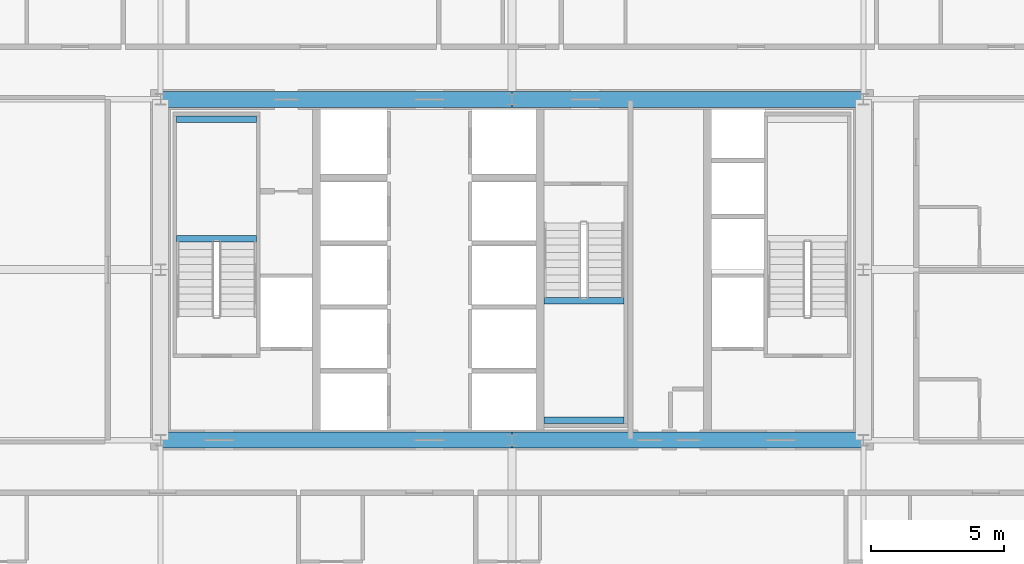
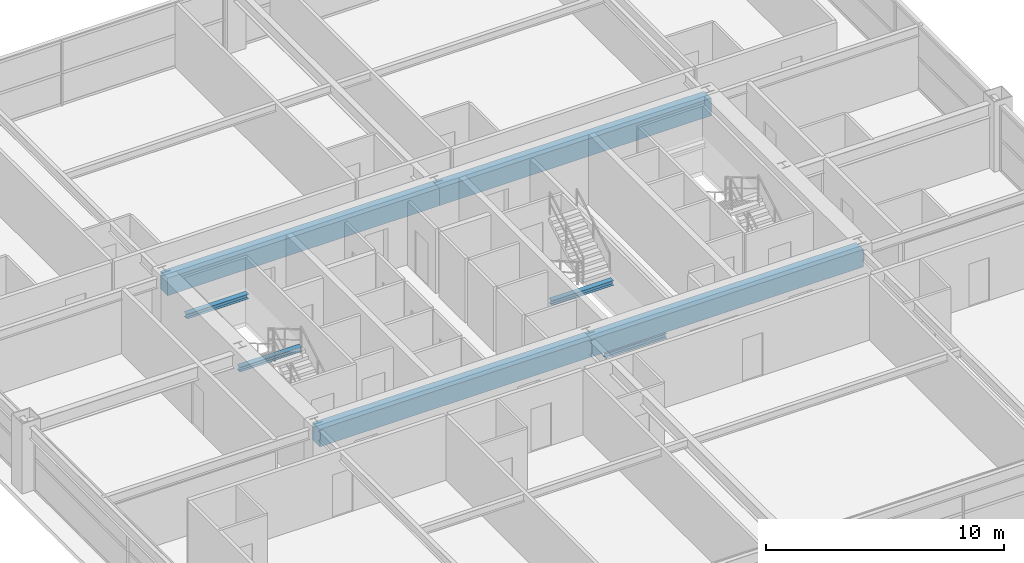
# One storey, part 12 of 38: 8 beams.
"""IFC4 building model written with IfcOpenShell, lengths in metres."""

from ifc_helpers import new_model, si_unit, direction, frame, origin, origin_2d, place, context, subcontext, project, spatial, rectangle, i_section, extrude, source, transform, mapped, material, material_profile, profile_set, type_object, element, save


model = new_model("IFC4")

# Units and contexts
model_context = context("Model", 3, precision=1e-05, world=origin(), true_north=direction((0.0, 1.0)))
body_context = subcontext(model_context, "Body", "Model", "MODEL_VIEW")
ifc_project = project(units=[si_unit("LENGTHUNIT", "METRE"), si_unit("AREAUNIT", "SQUARE_METRE"), si_unit("VOLUMEUNIT", "CUBIC_METRE"), si_unit("PLANEANGLEUNIT", "RADIAN"), si_unit("MASSUNIT", "GRAM", prefix="KILO"), si_unit("THERMODYNAMICTEMPERATUREUNIT", "KELVIN"), si_unit("POWERUNIT", "WATT")], contexts=[model_context])

# Site, building, storey
site_placement = place(None, origin())
site = spatial("IfcSite", under=ifc_project, at=site_placement, CompositionType="ELEMENT")
building_placement = place(site_placement, origin())
building = spatial("IfcBuilding", under=site, at=building_placement, Name="Yuzanri Waterfront Tower", CompositionType="ELEMENT")
storey_placement = place(building_placement, frame((0.0, 0.0, 126.199951171875)))
storey = spatial("IfcBuildingStorey", under=building, at=storey_placement, Name="L33", CompositionType="ELEMENT", Elevation=126.199951171875)

# Beams
ifc_material_1 = material(Name="Concrete C60", Category="concrete")
ifc_material_profile_1 = material_profile(ifc_material_1, rectangle(XDim=0.60009765625, YDim=0.89990234375, at=origin_2d()), Name="RC 600x900")
ifc_profile_set_1 = profile_set([ifc_material_profile_1], Name="Concrete C60")
beam_type_1 = type_object("IfcBeamType", Name="Core Coupling Lintel Concrete C60 600x900", PredefinedType="LINTEL", material=ifc_profile_set_1)
shared_shape_1 = source(origin(), body_context, "Body", "SweptSolid", [
    extrude(rectangle(XDim=0.60009765625, YDim=0.89990234375, at=origin_2d()), origin(), (0.0, 0.0, 1.0), 13.199951171875),
])
for number, where, z_axis, x_axis, name in (
    (1, (23.800048828125, 19.39990234375, 2.8701171875), (1.0, 0.0, 0.0), (0.0, 1.0, 0.0), "L33 Core Tie Beam CS1"),
    (2, (37.0, 19.39990234375, 2.8701171875), (1.0, 0.0, 0.0), (0.0, 1.0, 0.0), "L33 Core Tie Beam CS2"),
    (3, (23.800048828125, 32.199951171875, 2.8701171875), (1.0, 0.0, 0.0), (0.0, 1.0, 0.0), "L33 Core Tie Beam CN1"),
    (4, (37.0, 32.199951171875, 2.8701171875), (1.0, 0.0, 0.0), (0.0, 1.0, 0.0), "L33 Core Tie Beam CN2"),
):
    element("IfcBeam", number, at=place(storey_placement, frame(where, z_axis=z_axis, x_axis=x_axis)), inside=storey, type_object=beam_type_1, Name=name, PredefinedType="LINTEL", context=body_context, shape_type="MappedRepresentation", body=[
        mapped(shared_shape_1, transform((0.0, 0.0, 0.0), scale=1.0)),
    ])
ifc_material_2 = material(Name="Steel Q355B", Category="steel")
ifc_material_profile_2 = material_profile(ifc_material_2, i_section(OverallWidth=0.25, OverallDepth=0.25, WebThickness=0.009033203125, FlangeThickness=0.013916015625, at=origin_2d()), Name="HW 250x250x9x14")
ifc_profile_set_2 = profile_set([ifc_material_profile_2], Name="Steel Q355B")
beam_type_2 = type_object("IfcBeamType", Name="Stair Landing Support Beam Q355B HW 250x250", PredefinedType="BEAM", material=ifc_profile_set_2)
shared_shape_2 = source(origin(), body_context, "Body", "SweptSolid", [
    extrude(i_section(OverallWidth=0.25, OverallDepth=0.25, WebThickness=0.009033203125, FlangeThickness=0.013916015625, at=origin_2d()), origin(), (0.0, 0.0, 1.0), 3.0),
])
for number, where, z_axis, x_axis, name in (
    (5, (24.39990234375, 26.969970703125, 1.47509765625), (1.0, 0.0, 0.0), (0.0, 1.0, 0.0), "L33 Stair Landing Support Beam ST-01-L33-L1-1"),
    (6, (24.39990234375, 31.449951171875, 1.47509765625), (1.0, 0.0, 0.0), (0.0, 1.0, 0.0), "L33 Stair Landing Support Beam ST-01-L33-L1-2"),
    (7, (38.199951171875, 20.14990234375, 1.47509765625), (1.0, 0.0, 0.0), (0.0, 1.0, 0.0), "L33 Stair Landing Support Beam ST-03-L33-L1-1"),
    (8, (38.199951171875, 24.6298828125, 1.47509765625), (1.0, 0.0, 0.0), (0.0, 1.0, 0.0), "L33 Stair Landing Support Beam ST-03-L33-L1-2"),
):
    element("IfcBeam", number, at=place(storey_placement, frame(where, z_axis=z_axis, x_axis=x_axis)), inside=storey, type_object=beam_type_2, Name=name, PredefinedType="BEAM", context=body_context, shape_type="MappedRepresentation", body=[
        mapped(shared_shape_2, transform((0.0, 0.0, 0.0), scale=1.0)),
    ])

save(model, "model.ifc")
